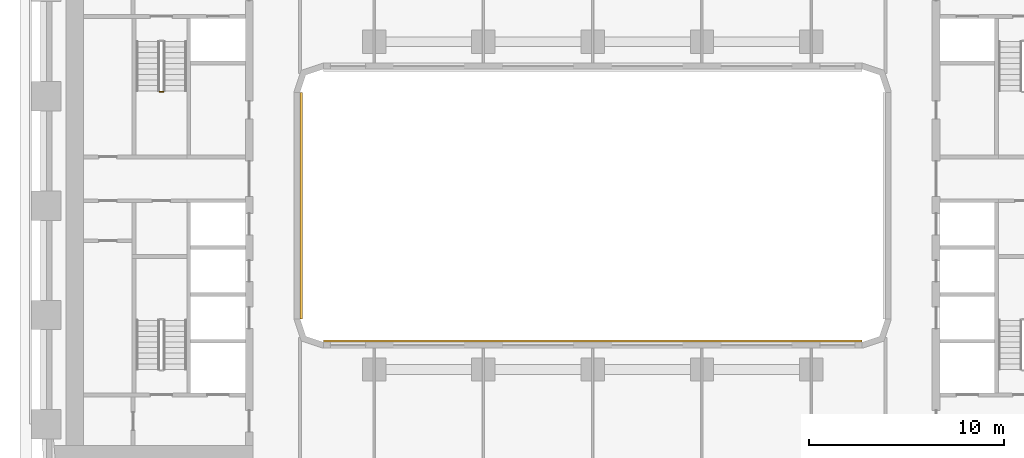
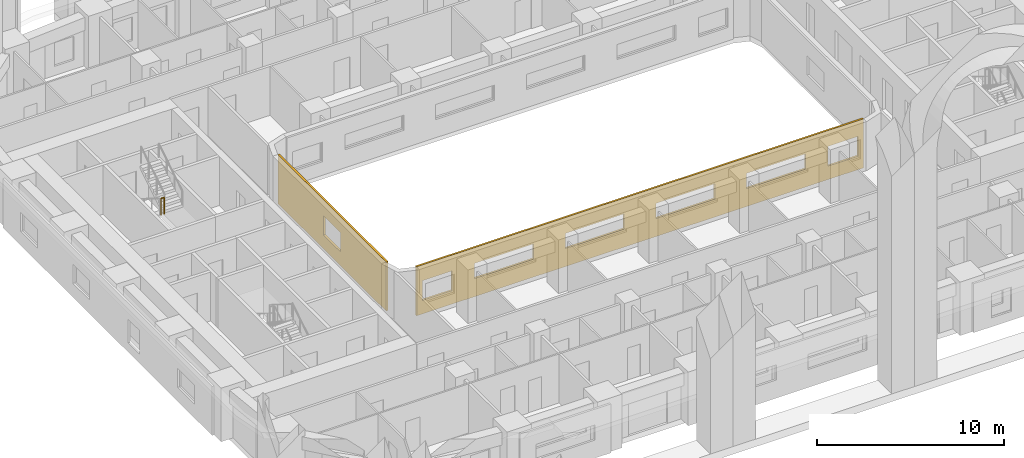
# One storey, part 14 of 21: 2 coverings, 1 railing.
"""IFC4 building model written with IfcOpenShell, lengths in metres."""

from ifc_helpers import new_model, si_unit, direction, frame, origin, origin_2d, place, context, subcontext, project, spatial, polyline, circle, outline, extrude, material, layer, layer_set, type_object, element, save


model = new_model("IFC4")

# Units and contexts
model_context = context("Model", 3, precision=1e-05, world=origin(), true_north=direction((0.0, 1.0)))
body_context = subcontext(model_context, "Body", "Model", "MODEL_VIEW")
ifc_project = project(units=[si_unit("LENGTHUNIT", "METRE"), si_unit("AREAUNIT", "SQUARE_METRE"), si_unit("VOLUMEUNIT", "CUBIC_METRE"), si_unit("PLANEANGLEUNIT", "RADIAN"), si_unit("MASSUNIT", "GRAM", prefix="KILO")], contexts=[model_context])

# Site, building, storey
site_placement = place(None, origin())
site = spatial("IfcSite", under=ifc_project, at=site_placement, CompositionType="ELEMENT")
building_placement = place(site_placement, origin())
building = spatial("IfcBuilding", under=site, at=building_placement, Name="Kiln Ring Residences", CompositionType="ELEMENT")
storey_placement = place(building_placement, frame((0.0, 0.0, 30.5)))
storey = spatial("IfcBuildingStorey", under=building, at=storey_placement, Name="L06", CompositionType="ELEMENT", Elevation=30.5)

# Railing
ifc_material_1 = material(Name="Stainless steel", Category="steel")
railing_type = type_object("IfcRailingType", Name="CORE-STAIR-GUARD", PredefinedType="GUARDRAIL", material=ifc_material_1)
railing_placement = place(storey_placement, frame((-22.199951171875, 5.830078125, 1.75)))
element("IfcRailing", 1, at=railing_placement, inside=storey, type_object=railing_type, Name="L06 W-STN stair guard 2", PredefinedType="GUARDRAIL", context=body_context, shape_type="SweptSolid", body=[
    extrude(circle(Radius=0.02392578125, at=origin_2d()), frame((0.0, 0.0, 1.076171875), z_axis=(1.0, 0.0, 0.0), x_axis=(0.0, 1.0, 0.0)), (0.0, 0.0, 1.0), 0.199951171875),
    extrude(circle(Radius=0.02099609375, at=origin_2d()), origin(), (0.0, 0.0, 1.0), 1.052001953125),
    extrude(circle(Radius=0.02099609375, at=origin_2d()), frame((0.199951171875, 0.0, 0.0)), (0.0, 0.0, 1.0), 1.052001953125),
])

# Coverings
ifc_material_2 = material(Name="Brick masonry, dark clay brick", Category="masonry")
ifc_layer = layer(ifc_material_2, 0.1201171875)
ifc_layer_set = layer_set([ifc_layer], Name="RAINSCREEN PANEL 120")
covering_type = type_object("IfcCoveringType", Name="RAINSCREEN PANEL 120", PredefinedType="CLADDING", material=ifc_layer_set)
covering_1_placement = place(storey_placement, frame((-14.93994140625, -5.800048828125, 0.0), z_axis=(0.0, 0.0, 1.0), x_axis=(0.0, 1.0, 0.0)))
element("IfcCovering", 2, at=covering_1_placement, inside=storey, type_object=covering_type, Name="RAINSCREEN L06", PredefinedType="CLADDING", context=body_context, shape_type="SweptSolid", body=[
    extrude(outline(polyline([(0.0, 0.0), (11.60009765625, 0.0), (11.60009765625, 3.199951171875), (0.0, 3.199951171875), (0.0, 0.0)]), holes=[polyline([(4.89990234375, 2.14990234375), (4.89990234375, 0.89990234375), (6.699951171875, 0.89990234375), (6.699951171875, 2.14990234375), (4.89990234375, 2.14990234375)])]), frame((0.0, 0.06005859375, 0.0), z_axis=(0.0, -1.0, 0.0), x_axis=(1.0, 0.0, 0.0)), (0.0, 0.0, 1.0), 0.1201171875),
])
covering_2_placement = place(storey_placement, frame((13.800048828125, -6.93994140625, 0.0), z_axis=(0.0, 0.0, 1.0), x_axis=(-1.0, 0.0, 0.0)))
element("IfcCovering", 3, at=covering_2_placement, inside=storey, type_object=covering_type, Name="RAINSCREEN L06", PredefinedType="CLADDING", context=body_context, shape_type="SweptSolid", body=[
    extrude(outline(polyline([(0.0, 0.0), (27.60009765625, 0.0), (27.60009765625, 3.199951171875), (0.0, 3.199951171875), (0.0, 0.0)]), holes=[polyline([(2.1826171875, 0.8798828125), (2.1826171875, 2.169921875), (0.342529296875, 2.169921875), (0.342529296875, 0.8798828125), (2.1826171875, 0.8798828125)]), polyline([(25.41748046875, 0.8798828125), (27.257568359375, 0.8798828125), (27.257568359375, 2.169921875), (25.41748046875, 2.169921875), (25.41748046875, 0.8798828125)]), polyline([(3.580078125, 1.179931640625), (7.219970703125, 1.179931640625), (7.219970703125, 2.169921875), (3.580078125, 2.169921875), (3.580078125, 1.179931640625)]), polyline([(12.820068359375, 1.179931640625), (12.820068359375, 2.169921875), (9.179931640625, 2.169921875), (9.179931640625, 1.179931640625), (12.820068359375, 1.179931640625)]), polyline([(14.780029296875, 1.179931640625), (18.419921875, 1.179931640625), (18.419921875, 2.169921875), (14.780029296875, 2.169921875), (14.780029296875, 1.179931640625)]), polyline([(20.3798828125, 1.179931640625), (24.02001953125, 1.179931640625), (24.02001953125, 2.169921875), (20.3798828125, 2.169921875), (20.3798828125, 1.179931640625)])]), frame((0.0, 0.06005859375, 0.0), z_axis=(0.0, -1.0, 0.0), x_axis=(1.0, 0.0, 0.0)), (0.0, 0.0, 1.0), 0.1201171875),
])

save(model, "model.ifc")
